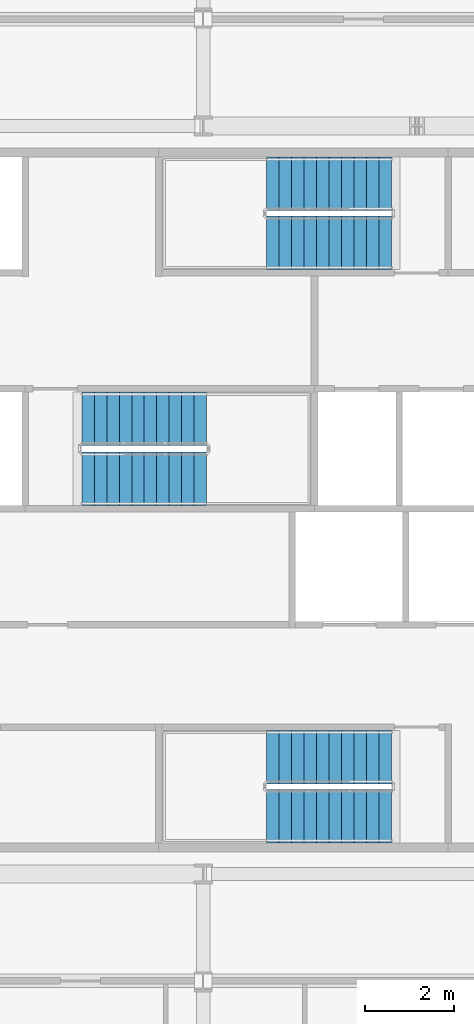
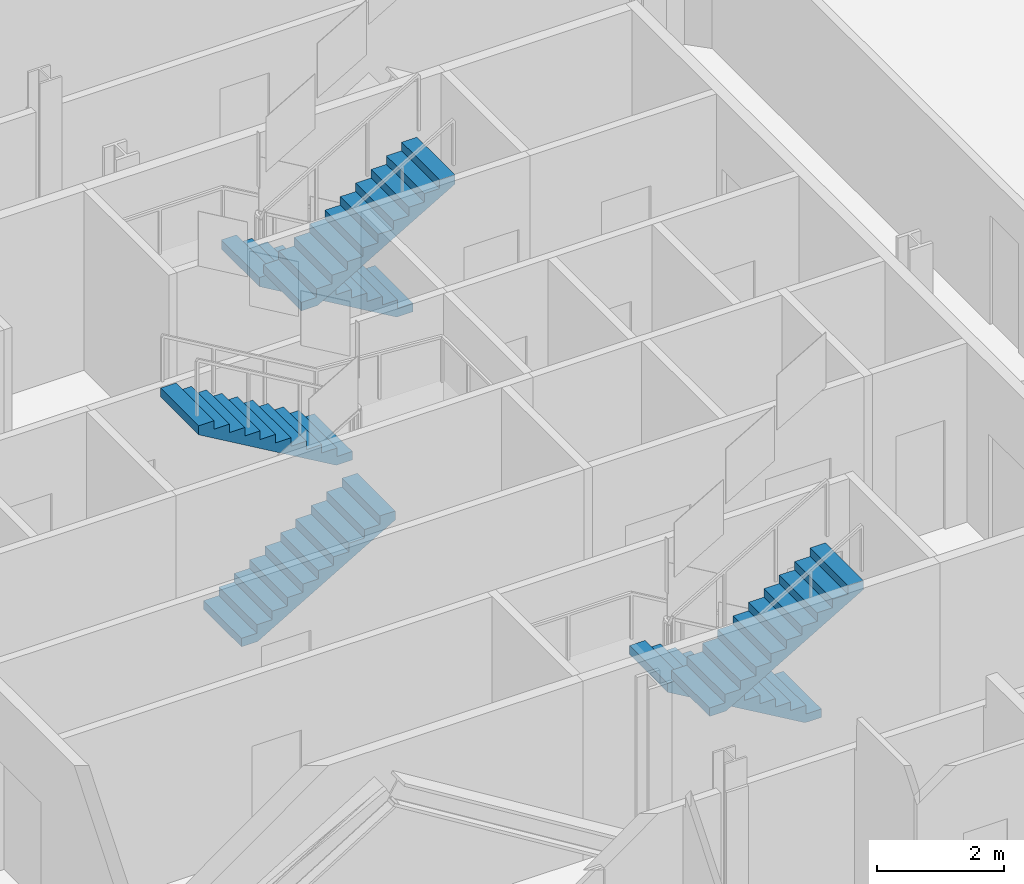
# One storey, part 14 of 21: 6 stair flights, 3 elements without a shape of their own.
"""IFC4 building model written with IfcOpenShell, lengths in metres."""

from ifc_helpers import new_model, si_unit, direction, frame, origin, place, context, subcontext, project, spatial, polyline, outline, extrude, material, type_object, element, aggregate, save


model = new_model("IFC4")

# Units and contexts
model_context = context("Model", 3, precision=1e-05, world=origin(), true_north=direction((0.0, 1.0)))
body_context = subcontext(model_context, "Body", "Model", "MODEL_VIEW")
ifc_project = project(units=[si_unit("LENGTHUNIT", "METRE"), si_unit("AREAUNIT", "SQUARE_METRE"), si_unit("VOLUMEUNIT", "CUBIC_METRE"), si_unit("PLANEANGLEUNIT", "RADIAN"), si_unit("MASSUNIT", "GRAM", prefix="KILO")], contexts=[model_context])

# Site, building, storey
site_placement = place(None, origin())
site = spatial("IfcSite", under=ifc_project, at=site_placement, CompositionType="ELEMENT")
building_placement = place(site_placement, origin())
building = spatial("IfcBuilding", under=site, at=building_placement, Name="Cairn Pilgrim Tower", CompositionType="ELEMENT")
storey_placement = place(building_placement, frame((0.0, 0.0, 161.39990234375)))
storey = spatial("IfcBuildingStorey", under=building, at=storey_placement, Name="L40", CompositionType="ELEMENT", Elevation=161.39990234375)

# Stair, stair flights
ifc_material = material(Name="Concrete C32/40", Category="concrete")
stair_type = type_object("IfcStairType", Name="EXIT STAIR 1200", PredefinedType="HALF_TURN_STAIR", material=ifc_material)
stair_1_placement = place(storey_placement, origin())
stair_1 = element("IfcStair", 1, at=stair_1_placement, inside=storey, type_object=stair_type, Name="L40 Exit Stair A", PredefinedType="HALF_TURN_STAIR")
stair_flight_type = type_object("IfcStairFlightType", Name="STAIR FLIGHT 1200", PredefinedType="STRAIGHT", material=ifc_material)
stair_flight_1_placement = place(storey_placement, frame((11.425048828125, -3.375, 0.0), z_axis=(0.0, 0.0, 1.0), x_axis=(-1.0, 0.0, 0.0)))
stair_flight_1 = element("IfcStairFlight", 2, at=stair_flight_1_placement, type_object=stair_flight_type, Name="ST-A flight 1", NumberOfRisers=11, NumberOfTreads=10, PredefinedType="STRAIGHT", RiserHeight=0.163636364, TreadLength=0.28, context=body_context, shape_type="SweptSolid", body=[
    extrude(outline(polyline([(0.0, 0.0), (0.0, 0.16357421875), (0.280029296875, 0.16357421875), (0.280029296875, 0.327392578125), (0.56005859375, 0.327392578125), (0.56005859375, 0.490966796875), (0.840087890625, 0.490966796875), (0.840087890625, 0.654541015625), (1.1201171875, 0.654541015625), (1.1201171875, 0.818115234375), (1.39990234375, 0.818115234375), (1.39990234375, 0.98193359375), (1.679931640625, 0.98193359375), (1.679931640625, 1.1455078125), (1.9599609375, 1.1455078125), (1.9599609375, 1.30908203125), (2.239990234375, 1.30908203125), (2.239990234375, 1.47265625), (2.52001953125, 1.47265625), (2.52001953125, 1.636474609375), (2.800048828125, 1.636474609375), (2.800048828125, 1.800048828125), (2.800048828125, 1.462646484375), (0.297119140625, 0.0), (0.0, 0.0)])), frame((0.0, 0.60009765625, 0.0), z_axis=(0.0, -1.0, 0.0), x_axis=(1.0, 0.0, 0.0)), (0.0, 0.0, 1.0), 1.199951171875),
])
stair_flight_2_placement = place(storey_placement, frame((8.625, -4.699951171875, 1.800048828125), z_axis=(0.0, 0.0, 1.0), x_axis=(1.0, 0.0, 0.0)))
stair_flight_2 = element("IfcStairFlight", 3, at=stair_flight_2_placement, type_object=stair_flight_type, Name="ST-A flight 2", NumberOfRisers=11, NumberOfTreads=10, PredefinedType="STRAIGHT", RiserHeight=0.163636364, TreadLength=0.28, context=body_context, shape_type="SweptSolid", body=[
    extrude(outline(polyline([(0.0, 0.0), (0.0, 0.16357421875), (0.280029296875, 0.16357421875), (0.280029296875, 0.327392578125), (0.56005859375, 0.327392578125), (0.56005859375, 0.490966796875), (0.840087890625, 0.490966796875), (0.840087890625, 0.654541015625), (1.1201171875, 0.654541015625), (1.1201171875, 0.818115234375), (1.39990234375, 0.818115234375), (1.39990234375, 0.98193359375), (1.679931640625, 0.98193359375), (1.679931640625, 1.1455078125), (1.9599609375, 1.1455078125), (1.9599609375, 1.30908203125), (2.239990234375, 1.30908203125), (2.239990234375, 1.47265625), (2.52001953125, 1.47265625), (2.52001953125, 1.636474609375), (2.800048828125, 1.636474609375), (2.800048828125, 1.800048828125), (2.800048828125, 1.462646484375), (0.297119140625, 0.0), (0.0, 0.0)])), frame((0.0, 0.60009765625, 0.0), z_axis=(0.0, -1.0, 0.0), x_axis=(1.0, 0.0, 0.0)), (0.0, 0.0, 1.0), 1.199951171875),
])
aggregate(stair_1, [stair_flight_1, stair_flight_2])

stair_2_placement = place(storey_placement, origin())
stair_2 = element("IfcStair", 4, at=stair_2_placement, inside=storey, type_object=stair_type, Name="L40 Exit Stair B", PredefinedType="HALF_TURN_STAIR")
stair_flight_3_placement = place(storey_placement, frame((4.47509765625, 2.875, 0.0), z_axis=(0.0, 0.0, 1.0), x_axis=(1.0, 0.0, 0.0)))
stair_flight_3 = element("IfcStairFlight", 5, at=stair_flight_3_placement, type_object=stair_flight_type, Name="ST-B flight 1", NumberOfRisers=11, NumberOfTreads=10, PredefinedType="STRAIGHT", RiserHeight=0.163636364, TreadLength=0.28, context=body_context, shape_type="SweptSolid", body=[
    extrude(outline(polyline([(0.0, 0.0), (0.0, 0.16357421875), (0.280029296875, 0.16357421875), (0.280029296875, 0.327392578125), (0.56005859375, 0.327392578125), (0.56005859375, 0.490966796875), (0.840087890625, 0.490966796875), (0.840087890625, 0.654541015625), (1.1201171875, 0.654541015625), (1.1201171875, 0.818115234375), (1.39990234375, 0.818115234375), (1.39990234375, 0.98193359375), (1.679931640625, 0.98193359375), (1.679931640625, 1.1455078125), (1.9599609375, 1.1455078125), (1.9599609375, 1.30908203125), (2.239990234375, 1.30908203125), (2.239990234375, 1.47265625), (2.52001953125, 1.47265625), (2.52001953125, 1.636474609375), (2.800048828125, 1.636474609375), (2.800048828125, 1.800048828125), (2.800048828125, 1.462646484375), (0.297119140625, 0.0), (0.0, 0.0)])), frame((0.0, 0.60009765625, 0.0), z_axis=(0.0, -1.0, 0.0), x_axis=(1.0, 0.0, 0.0)), (0.0, 0.0, 1.0), 1.199951171875),
])
stair_flight_4_placement = place(storey_placement, frame((7.27490234375, 4.22509765625, 1.800048828125), z_axis=(0.0, 0.0, 1.0), x_axis=(-1.0, 0.0, 0.0)))
stair_flight_4 = element("IfcStairFlight", 6, at=stair_flight_4_placement, type_object=stair_flight_type, Name="ST-B flight 2", NumberOfRisers=11, NumberOfTreads=10, PredefinedType="STRAIGHT", RiserHeight=0.163636364, TreadLength=0.28, context=body_context, shape_type="SweptSolid", body=[
    extrude(outline(polyline([(0.0, 0.0), (0.0, 0.16357421875), (0.280029296875, 0.16357421875), (0.280029296875, 0.327392578125), (0.56005859375, 0.327392578125), (0.56005859375, 0.490966796875), (0.840087890625, 0.490966796875), (0.840087890625, 0.654541015625), (1.1201171875, 0.654541015625), (1.1201171875, 0.818115234375), (1.39990234375, 0.818115234375), (1.39990234375, 0.98193359375), (1.679931640625, 0.98193359375), (1.679931640625, 1.1455078125), (1.9599609375, 1.1455078125), (1.9599609375, 1.30908203125), (2.239990234375, 1.30908203125), (2.239990234375, 1.47265625), (2.52001953125, 1.47265625), (2.52001953125, 1.636474609375), (2.800048828125, 1.636474609375), (2.800048828125, 1.800048828125), (2.800048828125, 1.462646484375), (0.297119140625, 0.0), (0.0, 0.0)])), frame((0.0, 0.60009765625, 0.0), z_axis=(0.0, -1.0, 0.0), x_axis=(1.0, 0.0, 0.0)), (0.0, 0.0, 1.0), 1.199951171875),
])
aggregate(stair_2, [stair_flight_3, stair_flight_4])

stair_3_placement = place(storey_placement, origin())
stair_3 = element("IfcStair", 7, at=stair_3_placement, inside=storey, type_object=stair_type, Name="L40 Exit Stair C", PredefinedType="HALF_TURN_STAIR")
stair_flight_5_placement = place(storey_placement, frame((11.425048828125, 9.5, 0.0), z_axis=(0.0, 0.0, 1.0), x_axis=(-1.0, 0.0, 0.0)))
stair_flight_5 = element("IfcStairFlight", 8, at=stair_flight_5_placement, type_object=stair_flight_type, Name="ST-C flight 1", NumberOfRisers=11, NumberOfTreads=10, PredefinedType="STRAIGHT", RiserHeight=0.163636364, TreadLength=0.28, context=body_context, shape_type="SweptSolid", body=[
    extrude(outline(polyline([(0.0, 0.0), (0.0, 0.16357421875), (0.280029296875, 0.16357421875), (0.280029296875, 0.327392578125), (0.56005859375, 0.327392578125), (0.56005859375, 0.490966796875), (0.840087890625, 0.490966796875), (0.840087890625, 0.654541015625), (1.1201171875, 0.654541015625), (1.1201171875, 0.818115234375), (1.39990234375, 0.818115234375), (1.39990234375, 0.98193359375), (1.679931640625, 0.98193359375), (1.679931640625, 1.1455078125), (1.9599609375, 1.1455078125), (1.9599609375, 1.30908203125), (2.239990234375, 1.30908203125), (2.239990234375, 1.47265625), (2.52001953125, 1.47265625), (2.52001953125, 1.636474609375), (2.800048828125, 1.636474609375), (2.800048828125, 1.800048828125), (2.800048828125, 1.462646484375), (0.297119140625, 0.0), (0.0, 0.0)])), frame((0.0, 0.60009765625, 0.0), z_axis=(0.0, -1.0, 0.0), x_axis=(1.0, 0.0, 0.0)), (0.0, 0.0, 1.0), 1.199951171875),
])
stair_flight_6_placement = place(storey_placement, frame((8.625, 8.175048828125, 1.800048828125), z_axis=(0.0, 0.0, 1.0), x_axis=(1.0, 0.0, 0.0)))
stair_flight_6 = element("IfcStairFlight", 9, at=stair_flight_6_placement, type_object=stair_flight_type, Name="ST-C flight 2", NumberOfRisers=11, NumberOfTreads=10, PredefinedType="STRAIGHT", RiserHeight=0.163636364, TreadLength=0.28, context=body_context, shape_type="SweptSolid", body=[
    extrude(outline(polyline([(0.0, 0.0), (0.0, 0.16357421875), (0.280029296875, 0.16357421875), (0.280029296875, 0.327392578125), (0.56005859375, 0.327392578125), (0.56005859375, 0.490966796875), (0.840087890625, 0.490966796875), (0.840087890625, 0.654541015625), (1.1201171875, 0.654541015625), (1.1201171875, 0.818115234375), (1.39990234375, 0.818115234375), (1.39990234375, 0.98193359375), (1.679931640625, 0.98193359375), (1.679931640625, 1.1455078125), (1.9599609375, 1.1455078125), (1.9599609375, 1.30908203125), (2.239990234375, 1.30908203125), (2.239990234375, 1.47265625), (2.52001953125, 1.47265625), (2.52001953125, 1.636474609375), (2.800048828125, 1.636474609375), (2.800048828125, 1.800048828125), (2.800048828125, 1.462646484375), (0.297119140625, 0.0), (0.0, 0.0)])), frame((0.0, 0.60009765625, 0.0), z_axis=(0.0, -1.0, 0.0), x_axis=(1.0, 0.0, 0.0)), (0.0, 0.0, 1.0), 1.199951171875),
])
aggregate(stair_3, [stair_flight_5, stair_flight_6])

save(model, "model.ifc")
